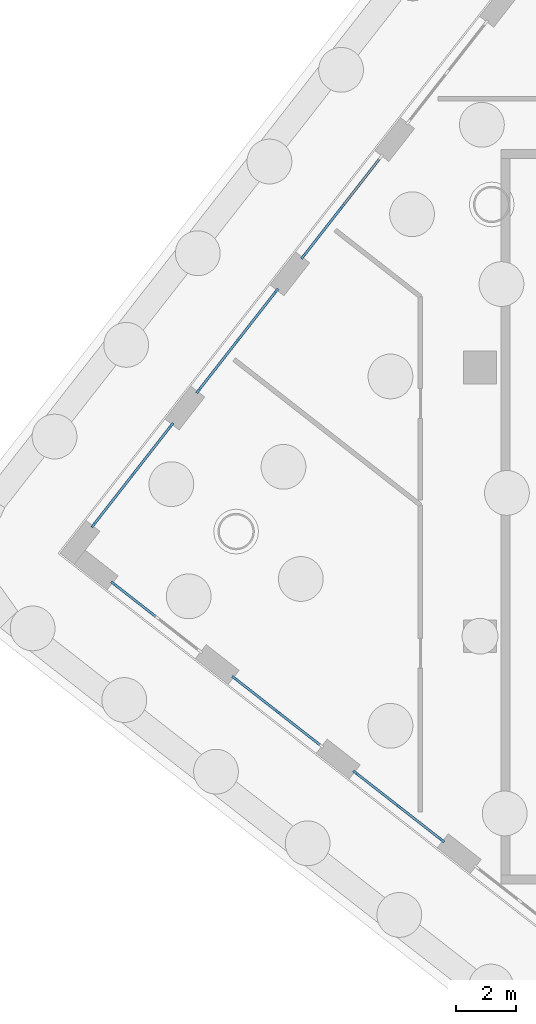
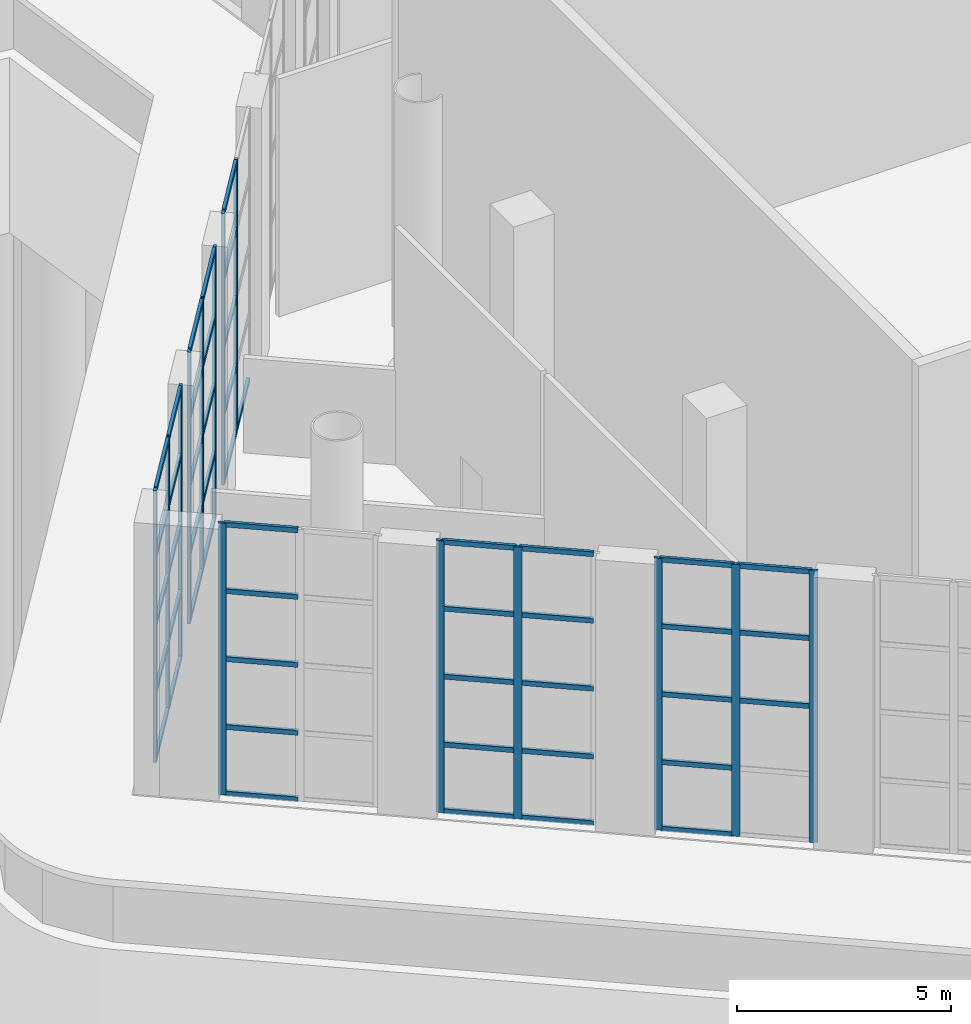
# One storey, part 5 of 34: 63 members, 6 elements without a shape of their own.
"""IFC4 building model written with IfcOpenShell, lengths in metres."""

from ifc_helpers import new_model, si_unit, direction, frame, origin, origin_2d, place, context, subcontext, project, spatial, rectangle, extrude, material, material_profile, profile_set, type_object, element, aggregate, save


model = new_model("IFC4")

# Units and contexts
model_context = context("Model", 3, precision=1e-05, world=origin(), true_north=direction((0.0, 1.0)))
body_context = subcontext(model_context, "Body", "Model", "MODEL_VIEW")
ifc_project = project(units=[si_unit("LENGTHUNIT", "METRE"), si_unit("AREAUNIT", "SQUARE_METRE"), si_unit("VOLUMEUNIT", "CUBIC_METRE"), si_unit("PLANEANGLEUNIT", "RADIAN"), si_unit("MASSUNIT", "GRAM", prefix="KILO")], contexts=[model_context])

# Site, building, storey
site_placement = place(None, origin())
site = spatial("IfcSite", under=ifc_project, at=site_placement, CompositionType="ELEMENT")
building_placement = place(site_placement, origin())
building = spatial("IfcBuilding", under=site, at=building_placement, Name="Tarsis Ring Headquarters", CompositionType="ELEMENT")
storey_placement = place(building_placement, origin())
storey = spatial("IfcBuildingStorey", under=building, at=storey_placement, Name="L00", CompositionType="ELEMENT", Elevation=0.0)

# Curtain wall, members
ifc_material_1 = material(Name="Aluminium and glass", Category="aluminium")
curtain_wall_type = type_object("IfcCurtainWallType", Name="PO-CW1", PredefinedType="NOTDEFINED", material=ifc_material_1)
curtain_wall_1_placement = place(storey_placement, origin())
curtain_wall_1 = element("IfcCurtainWall", 1, at=curtain_wall_1_placement, inside=storey, type_object=curtain_wall_type, Name="Shopfront curtain wall 6.3", PredefinedType="NOTDEFINED")
ifc_material_2 = material(Name="Aluminium", Category="aluminium")
ifc_material_profile_1 = material_profile(ifc_material_2, rectangle(XDim=0.080078125, YDim=0.199951171875, at=origin_2d()), Name="PO-CW1M")
ifc_profile_set_1 = profile_set([ifc_material_profile_1], Name="Aluminium")
member_type_1 = type_object("IfcMemberType", Name="PO-CW1M", PredefinedType="MULLION", material=ifc_profile_set_1)
member_1_placement = place(storey_placement, frame((-40.61669921875, -21.61328125, 0.0), z_axis=(0.0, 0.0, 1.0), x_axis=(0.788010730451, -0.615661504964, 0.0)))
member_1 = element("IfcMember", 2, at=member_1_placement, type_object=member_type_1, Name="CW-P1 mullion 2", PredefinedType="MULLION", context=body_context, shape_type="SweptSolid", body=[
    extrude(rectangle(XDim=0.080078125, YDim=0.199951171875, at=origin_2d()), origin(), (0.0, 0.0, 1.0), 7.75),
])
member_2_placement = place(storey_placement, frame((-41.917236328125, -23.27783203125, 0.0), z_axis=(0.0, 0.0, 1.0), x_axis=(0.788010730451, -0.615661504964, 0.0)))
member_2 = element("IfcMember", 3, at=member_2_placement, type_object=member_type_1, Name="CW-P1 mullion 3", PredefinedType="MULLION", context=body_context, shape_type="SweptSolid", body=[
    extrude(rectangle(XDim=0.080078125, YDim=0.199951171875, at=origin_2d()), origin(), (0.0, 0.0, 1.0), 7.75),
])

curtain_wall_2_placement = place(storey_placement, origin())
curtain_wall_2 = element("IfcCurtainWall", 4, at=curtain_wall_2_placement, inside=storey, type_object=curtain_wall_type, Name="Shopfront curtain wall 6.4", PredefinedType="NOTDEFINED")
member_3_placement = place(storey_placement, frame((-42.82861328125, -24.444091796875, 0.0), z_axis=(0.0, 0.0, 1.0), x_axis=(0.788010818498, -0.615661392269, 0.0)))
member_3 = element("IfcMember", 5, at=member_3_placement, type_object=member_type_1, Name="CW-P1 mullion 1", PredefinedType="MULLION", context=body_context, shape_type="SweptSolid", body=[
    extrude(rectangle(XDim=0.080078125, YDim=0.199951171875, at=origin_2d()), origin(), (0.0, 0.0, 1.0), 7.75),
])
member_4_placement = place(storey_placement, frame((-44.129150390625, -26.10888671875, 0.0), z_axis=(0.0, 0.0, 1.0), x_axis=(0.788010818498, -0.615661392269, 0.0)))
member_4 = element("IfcMember", 6, at=member_4_placement, type_object=member_type_1, Name="CW-P1 mullion 2", PredefinedType="MULLION", context=body_context, shape_type="SweptSolid", body=[
    extrude(rectangle(XDim=0.080078125, YDim=0.199951171875, at=origin_2d()), origin(), (0.0, 0.0, 1.0), 7.75),
])
member_5_placement = place(storey_placement, frame((-45.4296875, -27.7734375, 0.0), z_axis=(0.0, 0.0, 1.0), x_axis=(0.788010818498, -0.615661392269, 0.0)))
member_5 = element("IfcMember", 7, at=member_5_placement, type_object=member_type_1, Name="CW-P1 mullion 3", PredefinedType="MULLION", context=body_context, shape_type="SweptSolid", body=[
    extrude(rectangle(XDim=0.080078125, YDim=0.199951171875, at=origin_2d()), origin(), (0.0, 0.0, 1.0), 7.75),
])

curtain_wall_3_placement = place(storey_placement, origin())
curtain_wall_3 = element("IfcCurtainWall", 8, at=curtain_wall_3_placement, inside=storey, type_object=curtain_wall_type, Name="Shopfront curtain wall 6.5", PredefinedType="NOTDEFINED")
member_6_placement = place(storey_placement, frame((-46.3408203125, -28.939697265625, 0.0), z_axis=(0.0, 0.0, 1.0), x_axis=(0.788010730451, -0.615661504964, 0.0)))
member_6 = element("IfcMember", 9, at=member_6_placement, type_object=member_type_1, Name="CW-P1 mullion 1", PredefinedType="MULLION", context=body_context, shape_type="SweptSolid", body=[
    extrude(rectangle(XDim=0.080078125, YDim=0.199951171875, at=origin_2d()), origin(), (0.0, 0.0, 1.0), 7.75),
])
member_7_placement = place(storey_placement, frame((-47.641357421875, -30.604248046875, 0.0), z_axis=(0.0, 0.0, 1.0), x_axis=(0.788010730451, -0.615661504964, 0.0)))
member_7 = element("IfcMember", 10, at=member_7_placement, type_object=member_type_1, Name="CW-P1 mullion 2", PredefinedType="MULLION", context=body_context, shape_type="SweptSolid", body=[
    extrude(rectangle(XDim=0.080078125, YDim=0.199951171875, at=origin_2d()), origin(), (0.0, 0.0, 1.0), 7.75),
])
member_8_placement = place(storey_placement, frame((-48.94189453125, -32.26904296875, 0.0), z_axis=(0.0, 0.0, 1.0), x_axis=(0.788010730451, -0.615661504964, 0.0)))
member_8 = element("IfcMember", 11, at=member_8_placement, type_object=member_type_1, Name="CW-P1 mullion 3", PredefinedType="MULLION", context=body_context, shape_type="SweptSolid", body=[
    extrude(rectangle(XDim=0.080078125, YDim=0.199951171875, at=origin_2d()), origin(), (0.0, 0.0, 1.0), 7.75),
])

# Curtain wall, member
curtain_wall_4_placement = place(storey_placement, origin())
curtain_wall_4 = element("IfcCurtainWall", 12, at=curtain_wall_4_placement, inside=storey, type_object=curtain_wall_type, Name="Shopfront curtain wall 7.1", PredefinedType="NOTDEFINED")
member_9_placement = place(storey_placement, frame((-48.272705078125, -34.238525390625, 0.0), z_axis=(0.0, 0.0, 1.0), x_axis=(0.615661571393, 0.788010678551, 0.0)))
member_9 = element("IfcMember", 13, at=member_9_placement, type_object=member_type_1, Name="CW-P1 mullion 1", PredefinedType="MULLION", context=body_context, shape_type="SweptSolid", body=[
    extrude(rectangle(XDim=0.080078125, YDim=0.199951171875, at=origin_2d()), origin(), (0.0, 0.0, 1.0), 7.75),
])

# Curtain wall, members
curtain_wall_5_placement = place(storey_placement, origin())
curtain_wall_5 = element("IfcCurtainWall", 14, at=curtain_wall_5_placement, inside=storey, type_object=curtain_wall_type, Name="Shopfront curtain wall 7.2", PredefinedType="NOTDEFINED")
member_10_placement = place(storey_placement, frame((-44.219970703125, -37.40478515625, 0.0), z_axis=(0.0, 0.0, 1.0), x_axis=(0.615661441767, 0.788010779825, 0.0)))
member_10 = element("IfcMember", 15, at=member_10_placement, type_object=member_type_1, Name="CW-P1 mullion 1", PredefinedType="MULLION", context=body_context, shape_type="SweptSolid", body=[
    extrude(rectangle(XDim=0.080078125, YDim=0.199951171875, at=origin_2d()), origin(), (0.0, 0.0, 1.0), 7.75),
])
member_11_placement = place(storey_placement, frame((-42.77685546875, -38.532470703125, 0.0), z_axis=(0.0, 0.0, 1.0), x_axis=(0.615661441767, 0.788010779825, 0.0)))
member_11 = element("IfcMember", 16, at=member_11_placement, type_object=member_type_1, Name="CW-P1 mullion 2", PredefinedType="MULLION", context=body_context, shape_type="SweptSolid", body=[
    extrude(rectangle(XDim=0.080078125, YDim=0.199951171875, at=origin_2d()), origin(), (0.0, 0.0, 1.0), 7.75),
])

curtain_wall_6_placement = place(storey_placement, origin())
curtain_wall_6 = element("IfcCurtainWall", 17, at=curtain_wall_6_placement, inside=storey, type_object=curtain_wall_type, Name="Shopfront curtain wall 7.3", PredefinedType="NOTDEFINED")
member_12_placement = place(storey_placement, frame((-40.16748046875, -40.571044921875, 0.0), z_axis=(0.0, 0.0, 1.0), x_axis=(0.615661441767, 0.788010779825, 0.0)))
member_12 = element("IfcMember", 18, at=member_12_placement, type_object=member_type_1, Name="CW-P1 mullion 1", PredefinedType="MULLION", context=body_context, shape_type="SweptSolid", body=[
    extrude(rectangle(XDim=0.080078125, YDim=0.199951171875, at=origin_2d()), origin(), (0.0, 0.0, 1.0), 7.75),
])
member_13_placement = place(storey_placement, frame((-38.72412109375, -41.69873046875, 0.0), z_axis=(0.0, 0.0, 1.0), x_axis=(0.615661441767, 0.788010779825, 0.0)))
member_13 = element("IfcMember", 19, at=member_13_placement, type_object=member_type_1, Name="CW-P1 mullion 2", PredefinedType="MULLION", context=body_context, shape_type="SweptSolid", body=[
    extrude(rectangle(XDim=0.080078125, YDim=0.199951171875, at=origin_2d()), origin(), (0.0, 0.0, 1.0), 7.75),
])
member_14_placement = place(storey_placement, frame((-37.281005859375, -42.826171875, 0.0), z_axis=(0.0, 0.0, 1.0), x_axis=(0.615661441767, 0.788010779825, 0.0)))
member_14 = element("IfcMember", 20, at=member_14_placement, type_object=member_type_1, Name="CW-P1 mullion 3", PredefinedType="MULLION", context=body_context, shape_type="SweptSolid", body=[
    extrude(rectangle(XDim=0.080078125, YDim=0.199951171875, at=origin_2d()), origin(), (0.0, 0.0, 1.0), 7.75),
])

# Member
ifc_material_profile_2 = material_profile(ifc_material_2, rectangle(XDim=0.080078125, YDim=0.139892578125, at=origin_2d()), Name="PO-CW1T")
ifc_profile_set_2 = profile_set([ifc_material_profile_2], Name="Aluminium")
member_type_2 = type_object("IfcMemberType", Name="PO-CW1T", PredefinedType="USERDEFINED", material=ifc_profile_set_2)
member_15_placement = place(storey_placement, frame((-39.3408203125, -19.980224609375, 0.0400390625), z_axis=(-0.615644041972, -0.788024373725, 0.0), x_axis=(0.788024373725, -0.615644041972, 0.0)))
member_15 = element("IfcMember", 21, at=member_15_placement, type_object=member_type_2, Name="CW-P1 transom 1.1", ObjectType="TRANSOM", PredefinedType="USERDEFINED", context=body_context, shape_type="SweptSolid", body=[
    extrude(rectangle(XDim=0.080078125, YDim=0.139892578125, at=origin_2d()), origin(), (0.0, 0.0, 1.0), 2.032470703125),
])

member_16_placement = place(storey_placement, frame((-40.641357421875, -21.644775390625, 0.0400390625), z_axis=(-0.615718629624, -0.787966096437, 0.0), x_axis=(0.787966096437, -0.615718629624, 0.0)))
member_16 = element("IfcMember", 22, at=member_16_placement, type_object=member_type_2, Name="CW-P1 transom 2.1", ObjectType="TRANSOM", PredefinedType="USERDEFINED", context=body_context, shape_type="SweptSolid", body=[
    extrude(rectangle(XDim=0.080078125, YDim=0.139892578125, at=origin_2d()), origin(), (0.0, 0.0, 1.0), 2.032470703125),
])

member_17_placement = place(storey_placement, frame((-40.641357421875, -21.644775390625, 1.9375), z_axis=(-0.615718629624, -0.787966096437, 0.0), x_axis=(0.787966096437, -0.615718629624, 0.0)))
member_17 = element("IfcMember", 23, at=member_17_placement, type_object=member_type_2, Name="CW-P1 transom 2.2", ObjectType="TRANSOM", PredefinedType="USERDEFINED", context=body_context, shape_type="SweptSolid", body=[
    extrude(rectangle(XDim=0.080078125, YDim=0.139892578125, at=origin_2d()), origin(), (0.0, 0.0, 1.0), 2.032470703125),
])

member_18_placement = place(storey_placement, frame((-40.641357421875, -21.644775390625, 3.875), z_axis=(-0.615718629624, -0.787966096437, 0.0), x_axis=(0.787966096437, -0.615718629624, 0.0)))
member_18 = element("IfcMember", 24, at=member_18_placement, type_object=member_type_2, Name="CW-P1 transom 2.3", ObjectType="TRANSOM", PredefinedType="USERDEFINED", context=body_context, shape_type="SweptSolid", body=[
    extrude(rectangle(XDim=0.080078125, YDim=0.139892578125, at=origin_2d()), origin(), (0.0, 0.0, 1.0), 2.032470703125),
])

member_19_placement = place(storey_placement, frame((-40.641357421875, -21.644775390625, 5.8125), z_axis=(-0.615718629624, -0.787966096437, 0.0), x_axis=(0.787966096437, -0.615718629624, 0.0)))
member_19 = element("IfcMember", 25, at=member_19_placement, type_object=member_type_2, Name="CW-P1 transom 2.4", ObjectType="TRANSOM", PredefinedType="USERDEFINED", context=body_context, shape_type="SweptSolid", body=[
    extrude(rectangle(XDim=0.080078125, YDim=0.139892578125, at=origin_2d()), origin(), (0.0, 0.0, 1.0), 2.032470703125),
])

member_20_placement = place(storey_placement, frame((-40.641357421875, -21.644775390625, 7.7099609375), z_axis=(-0.615718629624, -0.787966096437, 0.0), x_axis=(0.787966096437, -0.615718629624, 0.0)))
member_20 = element("IfcMember", 26, at=member_20_placement, type_object=member_type_2, Name="CW-P1 transom 2.5", ObjectType="TRANSOM", PredefinedType="USERDEFINED", context=body_context, shape_type="SweptSolid", body=[
    extrude(rectangle(XDim=0.080078125, YDim=0.139892578125, at=origin_2d()), origin(), (0.0, 0.0, 1.0), 2.032470703125),
])

aggregate(curtain_wall_1, [member_1, member_2, member_15, member_16, member_17, member_18, member_19, member_20])

member_21_placement = place(storey_placement, frame((-42.85302734375, -24.4755859375, 0.0400390625), z_axis=(-0.615660356948, -0.788011627378, 0.0), x_axis=(0.788011627378, -0.615660356948, 0.0)))
member_21 = element("IfcMember", 27, at=member_21_placement, type_object=member_type_2, Name="CW-P1 transom 1.1", ObjectType="TRANSOM", PredefinedType="USERDEFINED", context=body_context, shape_type="SweptSolid", body=[
    extrude(rectangle(XDim=0.080078125, YDim=0.139892578125, at=origin_2d()), origin(), (0.0, 0.0, 1.0), 2.03271484375),
])

member_22_placement = place(storey_placement, frame((-42.85302734375, -24.4755859375, 1.9375), z_axis=(-0.615660356948, -0.788011627378, 0.0), x_axis=(0.788011627378, -0.615660356948, 0.0)))
member_22 = element("IfcMember", 28, at=member_22_placement, type_object=member_type_2, Name="CW-P1 transom 1.2", ObjectType="TRANSOM", PredefinedType="USERDEFINED", context=body_context, shape_type="SweptSolid", body=[
    extrude(rectangle(XDim=0.080078125, YDim=0.139892578125, at=origin_2d()), origin(), (0.0, 0.0, 1.0), 2.03271484375),
])

member_23_placement = place(storey_placement, frame((-42.85302734375, -24.4755859375, 3.875), z_axis=(-0.615660356948, -0.788011627378, 0.0), x_axis=(0.788011627378, -0.615660356948, 0.0)))
member_23 = element("IfcMember", 29, at=member_23_placement, type_object=member_type_2, Name="CW-P1 transom 1.3", ObjectType="TRANSOM", PredefinedType="USERDEFINED", context=body_context, shape_type="SweptSolid", body=[
    extrude(rectangle(XDim=0.080078125, YDim=0.139892578125, at=origin_2d()), origin(), (0.0, 0.0, 1.0), 2.03271484375),
])

member_24_placement = place(storey_placement, frame((-42.85302734375, -24.4755859375, 5.8125), z_axis=(-0.615660356948, -0.788011627378, 0.0), x_axis=(0.788011627378, -0.615660356948, 0.0)))
member_24 = element("IfcMember", 30, at=member_24_placement, type_object=member_type_2, Name="CW-P1 transom 1.4", ObjectType="TRANSOM", PredefinedType="USERDEFINED", context=body_context, shape_type="SweptSolid", body=[
    extrude(rectangle(XDim=0.080078125, YDim=0.139892578125, at=origin_2d()), origin(), (0.0, 0.0, 1.0), 2.03271484375),
])

member_25_placement = place(storey_placement, frame((-42.85302734375, -24.4755859375, 7.7099609375), z_axis=(-0.615660356948, -0.788011627378, 0.0), x_axis=(0.788011627378, -0.615660356948, 0.0)))
member_25 = element("IfcMember", 31, at=member_25_placement, type_object=member_type_2, Name="CW-P1 transom 1.5", ObjectType="TRANSOM", PredefinedType="USERDEFINED", context=body_context, shape_type="SweptSolid", body=[
    extrude(rectangle(XDim=0.080078125, YDim=0.139892578125, at=origin_2d()), origin(), (0.0, 0.0, 1.0), 2.03271484375),
])

member_26_placement = place(storey_placement, frame((-44.15380859375, -26.140380859375, 0.0400390625), z_axis=(-0.615644041972, -0.788024373725, 0.0), x_axis=(0.788024373725, -0.615644041972, 0.0)))
member_26 = element("IfcMember", 32, at=member_26_placement, type_object=member_type_2, Name="CW-P1 transom 2.1", ObjectType="TRANSOM", PredefinedType="USERDEFINED", context=body_context, shape_type="SweptSolid", body=[
    extrude(rectangle(XDim=0.080078125, YDim=0.139892578125, at=origin_2d()), origin(), (0.0, 0.0, 1.0), 2.032470703125),
])

member_27_placement = place(storey_placement, frame((-44.15380859375, -26.140380859375, 1.9375), z_axis=(-0.615644041972, -0.788024373725, 0.0), x_axis=(0.788024373725, -0.615644041972, 0.0)))
member_27 = element("IfcMember", 33, at=member_27_placement, type_object=member_type_2, Name="CW-P1 transom 2.2", ObjectType="TRANSOM", PredefinedType="USERDEFINED", context=body_context, shape_type="SweptSolid", body=[
    extrude(rectangle(XDim=0.080078125, YDim=0.139892578125, at=origin_2d()), origin(), (0.0, 0.0, 1.0), 2.032470703125),
])

member_28_placement = place(storey_placement, frame((-44.15380859375, -26.140380859375, 3.875), z_axis=(-0.615644041972, -0.788024373725, 0.0), x_axis=(0.788024373725, -0.615644041972, 0.0)))
member_28 = element("IfcMember", 34, at=member_28_placement, type_object=member_type_2, Name="CW-P1 transom 2.3", ObjectType="TRANSOM", PredefinedType="USERDEFINED", context=body_context, shape_type="SweptSolid", body=[
    extrude(rectangle(XDim=0.080078125, YDim=0.139892578125, at=origin_2d()), origin(), (0.0, 0.0, 1.0), 2.032470703125),
])

member_29_placement = place(storey_placement, frame((-44.15380859375, -26.140380859375, 5.8125), z_axis=(-0.615644041972, -0.788024373725, 0.0), x_axis=(0.788024373725, -0.615644041972, 0.0)))
member_29 = element("IfcMember", 35, at=member_29_placement, type_object=member_type_2, Name="CW-P1 transom 2.4", ObjectType="TRANSOM", PredefinedType="USERDEFINED", context=body_context, shape_type="SweptSolid", body=[
    extrude(rectangle(XDim=0.080078125, YDim=0.139892578125, at=origin_2d()), origin(), (0.0, 0.0, 1.0), 2.032470703125),
])

member_30_placement = place(storey_placement, frame((-44.15380859375, -26.140380859375, 7.7099609375), z_axis=(-0.615644041972, -0.788024373725, 0.0), x_axis=(0.788024373725, -0.615644041972, 0.0)))
member_30 = element("IfcMember", 36, at=member_30_placement, type_object=member_type_2, Name="CW-P1 transom 2.5", ObjectType="TRANSOM", PredefinedType="USERDEFINED", context=body_context, shape_type="SweptSolid", body=[
    extrude(rectangle(XDim=0.080078125, YDim=0.139892578125, at=origin_2d()), origin(), (0.0, 0.0, 1.0), 2.032470703125),
])

aggregate(curtain_wall_2, [member_3, member_4, member_5, member_21, member_22, member_23, member_24, member_25, member_26, member_27, member_28, member_29, member_30])

member_31_placement = place(storey_placement, frame((-46.365478515625, -28.97119140625, 0.0400390625), z_axis=(-0.615644041972, -0.788024373725, 0.0), x_axis=(0.788024373725, -0.615644041972, 0.0)))
member_31 = element("IfcMember", 37, at=member_31_placement, type_object=member_type_2, Name="CW-P1 transom 1.1", ObjectType="TRANSOM", PredefinedType="USERDEFINED", context=body_context, shape_type="SweptSolid", body=[
    extrude(rectangle(XDim=0.080078125, YDim=0.139892578125, at=origin_2d()), origin(), (0.0, 0.0, 1.0), 2.032470703125),
])

member_32_placement = place(storey_placement, frame((-46.365478515625, -28.97119140625, 1.9375), z_axis=(-0.615644041972, -0.788024373725, 0.0), x_axis=(0.788024373725, -0.615644041972, 0.0)))
member_32 = element("IfcMember", 38, at=member_32_placement, type_object=member_type_2, Name="CW-P1 transom 1.2", ObjectType="TRANSOM", PredefinedType="USERDEFINED", context=body_context, shape_type="SweptSolid", body=[
    extrude(rectangle(XDim=0.080078125, YDim=0.139892578125, at=origin_2d()), origin(), (0.0, 0.0, 1.0), 2.032470703125),
])

member_33_placement = place(storey_placement, frame((-46.365478515625, -28.97119140625, 3.875), z_axis=(-0.615644041972, -0.788024373725, 0.0), x_axis=(0.788024373725, -0.615644041972, 0.0)))
member_33 = element("IfcMember", 39, at=member_33_placement, type_object=member_type_2, Name="CW-P1 transom 1.3", ObjectType="TRANSOM", PredefinedType="USERDEFINED", context=body_context, shape_type="SweptSolid", body=[
    extrude(rectangle(XDim=0.080078125, YDim=0.139892578125, at=origin_2d()), origin(), (0.0, 0.0, 1.0), 2.032470703125),
])

member_34_placement = place(storey_placement, frame((-46.365478515625, -28.97119140625, 5.8125), z_axis=(-0.615644041972, -0.788024373725, 0.0), x_axis=(0.788024373725, -0.615644041972, 0.0)))
member_34 = element("IfcMember", 40, at=member_34_placement, type_object=member_type_2, Name="CW-P1 transom 1.4", ObjectType="TRANSOM", PredefinedType="USERDEFINED", context=body_context, shape_type="SweptSolid", body=[
    extrude(rectangle(XDim=0.080078125, YDim=0.139892578125, at=origin_2d()), origin(), (0.0, 0.0, 1.0), 2.032470703125),
])

member_35_placement = place(storey_placement, frame((-46.365478515625, -28.97119140625, 7.7099609375), z_axis=(-0.615644041972, -0.788024373725, 0.0), x_axis=(0.788024373725, -0.615644041972, 0.0)))
member_35 = element("IfcMember", 41, at=member_35_placement, type_object=member_type_2, Name="CW-P1 transom 1.5", ObjectType="TRANSOM", PredefinedType="USERDEFINED", context=body_context, shape_type="SweptSolid", body=[
    extrude(rectangle(XDim=0.080078125, YDim=0.139892578125, at=origin_2d()), origin(), (0.0, 0.0, 1.0), 2.032470703125),
])

member_36_placement = place(storey_placement, frame((-47.666015625, -30.635986328125, 0.0400390625), z_axis=(-0.615644041972, -0.788024373725, 0.0), x_axis=(0.788024373725, -0.615644041972, 0.0)))
member_36 = element("IfcMember", 42, at=member_36_placement, type_object=member_type_2, Name="CW-P1 transom 2.1", ObjectType="TRANSOM", PredefinedType="USERDEFINED", context=body_context, shape_type="SweptSolid", body=[
    extrude(rectangle(XDim=0.080078125, YDim=0.139892578125, at=origin_2d()), origin(), (0.0, 0.0, 1.0), 2.032470703125),
])

member_37_placement = place(storey_placement, frame((-47.666015625, -30.635986328125, 1.9375), z_axis=(-0.615644041972, -0.788024373725, 0.0), x_axis=(0.788024373725, -0.615644041972, 0.0)))
member_37 = element("IfcMember", 43, at=member_37_placement, type_object=member_type_2, Name="CW-P1 transom 2.2", ObjectType="TRANSOM", PredefinedType="USERDEFINED", context=body_context, shape_type="SweptSolid", body=[
    extrude(rectangle(XDim=0.080078125, YDim=0.139892578125, at=origin_2d()), origin(), (0.0, 0.0, 1.0), 2.032470703125),
])

member_38_placement = place(storey_placement, frame((-47.666015625, -30.635986328125, 3.875), z_axis=(-0.615644041972, -0.788024373725, 0.0), x_axis=(0.788024373725, -0.615644041972, 0.0)))
member_38 = element("IfcMember", 44, at=member_38_placement, type_object=member_type_2, Name="CW-P1 transom 2.3", ObjectType="TRANSOM", PredefinedType="USERDEFINED", context=body_context, shape_type="SweptSolid", body=[
    extrude(rectangle(XDim=0.080078125, YDim=0.139892578125, at=origin_2d()), origin(), (0.0, 0.0, 1.0), 2.032470703125),
])

member_39_placement = place(storey_placement, frame((-47.666015625, -30.635986328125, 5.8125), z_axis=(-0.615644041972, -0.788024373725, 0.0), x_axis=(0.788024373725, -0.615644041972, 0.0)))
member_39 = element("IfcMember", 45, at=member_39_placement, type_object=member_type_2, Name="CW-P1 transom 2.4", ObjectType="TRANSOM", PredefinedType="USERDEFINED", context=body_context, shape_type="SweptSolid", body=[
    extrude(rectangle(XDim=0.080078125, YDim=0.139892578125, at=origin_2d()), origin(), (0.0, 0.0, 1.0), 2.032470703125),
])

member_40_placement = place(storey_placement, frame((-47.666015625, -30.635986328125, 7.7099609375), z_axis=(-0.615644041972, -0.788024373725, 0.0), x_axis=(0.788024373725, -0.615644041972, 0.0)))
member_40 = element("IfcMember", 46, at=member_40_placement, type_object=member_type_2, Name="CW-P1 transom 2.5", ObjectType="TRANSOM", PredefinedType="USERDEFINED", context=body_context, shape_type="SweptSolid", body=[
    extrude(rectangle(XDim=0.080078125, YDim=0.139892578125, at=origin_2d()), origin(), (0.0, 0.0, 1.0), 2.032470703125),
])

aggregate(curtain_wall_3, [member_6, member_7, member_8, member_31, member_32, member_33, member_34, member_35, member_36, member_37, member_38, member_39, member_40])

member_41_placement = place(storey_placement, frame((-48.2412109375, -34.26318359375, 0.0400390625), z_axis=(0.78798421965, -0.615695435733, 0.0), x_axis=(0.615695435733, 0.78798421965, 0.0)))
member_41 = element("IfcMember", 47, at=member_41_placement, type_object=member_type_2, Name="CW-P1 transom 1.1", ObjectType="TRANSOM", PredefinedType="USERDEFINED", context=body_context, shape_type="SweptSolid", body=[
    extrude(rectangle(XDim=0.080078125, YDim=0.139892578125, at=origin_2d()), origin(), (0.0, 0.0, 1.0), 1.75146484375),
])

member_42_placement = place(storey_placement, frame((-48.2412109375, -34.26318359375, 1.9375), z_axis=(0.78798421965, -0.615695435733, 0.0), x_axis=(0.615695435733, 0.78798421965, 0.0)))
member_42 = element("IfcMember", 48, at=member_42_placement, type_object=member_type_2, Name="CW-P1 transom 1.2", ObjectType="TRANSOM", PredefinedType="USERDEFINED", context=body_context, shape_type="SweptSolid", body=[
    extrude(rectangle(XDim=0.080078125, YDim=0.139892578125, at=origin_2d()), origin(), (0.0, 0.0, 1.0), 1.75146484375),
])

member_43_placement = place(storey_placement, frame((-48.2412109375, -34.26318359375, 3.875), z_axis=(0.78798421965, -0.615695435733, 0.0), x_axis=(0.615695435733, 0.78798421965, 0.0)))
member_43 = element("IfcMember", 49, at=member_43_placement, type_object=member_type_2, Name="CW-P1 transom 1.3", ObjectType="TRANSOM", PredefinedType="USERDEFINED", context=body_context, shape_type="SweptSolid", body=[
    extrude(rectangle(XDim=0.080078125, YDim=0.139892578125, at=origin_2d()), origin(), (0.0, 0.0, 1.0), 1.75146484375),
])

member_44_placement = place(storey_placement, frame((-48.2412109375, -34.26318359375, 5.8125), z_axis=(0.78798421965, -0.615695435733, 0.0), x_axis=(0.615695435733, 0.78798421965, 0.0)))
member_44 = element("IfcMember", 50, at=member_44_placement, type_object=member_type_2, Name="CW-P1 transom 1.4", ObjectType="TRANSOM", PredefinedType="USERDEFINED", context=body_context, shape_type="SweptSolid", body=[
    extrude(rectangle(XDim=0.080078125, YDim=0.139892578125, at=origin_2d()), origin(), (0.0, 0.0, 1.0), 1.75146484375),
])

member_45_placement = place(storey_placement, frame((-48.2412109375, -34.26318359375, 7.7099609375), z_axis=(0.78798421965, -0.615695435733, 0.0), x_axis=(0.615695435733, 0.78798421965, 0.0)))
member_45 = element("IfcMember", 51, at=member_45_placement, type_object=member_type_2, Name="CW-P1 transom 1.5", ObjectType="TRANSOM", PredefinedType="USERDEFINED", context=body_context, shape_type="SweptSolid", body=[
    extrude(rectangle(XDim=0.080078125, YDim=0.139892578125, at=origin_2d()), origin(), (0.0, 0.0, 1.0), 1.75146484375),
])

aggregate(curtain_wall_4, [member_9, member_41, member_42, member_43, member_44, member_45])

member_46_placement = place(storey_placement, frame((-44.1884765625, -37.429443359375, 0.0400390625), z_axis=(0.78798421965, -0.615695435733, 0.0), x_axis=(0.615695435733, 0.78798421965, 0.0)))
member_46 = element("IfcMember", 52, at=member_46_placement, type_object=member_type_2, Name="CW-P1 transom 1.1", ObjectType="TRANSOM", PredefinedType="USERDEFINED", context=body_context, shape_type="SweptSolid", body=[
    extrude(rectangle(XDim=0.080078125, YDim=0.139892578125, at=origin_2d()), origin(), (0.0, 0.0, 1.0), 1.75146484375),
])

member_47_placement = place(storey_placement, frame((-44.1884765625, -37.429443359375, 1.9375), z_axis=(0.78798421965, -0.615695435733, 0.0), x_axis=(0.615695435733, 0.78798421965, 0.0)))
member_47 = element("IfcMember", 53, at=member_47_placement, type_object=member_type_2, Name="CW-P1 transom 1.2", ObjectType="TRANSOM", PredefinedType="USERDEFINED", context=body_context, shape_type="SweptSolid", body=[
    extrude(rectangle(XDim=0.080078125, YDim=0.139892578125, at=origin_2d()), origin(), (0.0, 0.0, 1.0), 1.75146484375),
])

member_48_placement = place(storey_placement, frame((-44.1884765625, -37.429443359375, 3.875), z_axis=(0.78798421965, -0.615695435733, 0.0), x_axis=(0.615695435733, 0.78798421965, 0.0)))
member_48 = element("IfcMember", 54, at=member_48_placement, type_object=member_type_2, Name="CW-P1 transom 1.3", ObjectType="TRANSOM", PredefinedType="USERDEFINED", context=body_context, shape_type="SweptSolid", body=[
    extrude(rectangle(XDim=0.080078125, YDim=0.139892578125, at=origin_2d()), origin(), (0.0, 0.0, 1.0), 1.75146484375),
])

member_49_placement = place(storey_placement, frame((-44.1884765625, -37.429443359375, 5.8125), z_axis=(0.78798421965, -0.615695435733, 0.0), x_axis=(0.615695435733, 0.78798421965, 0.0)))
member_49 = element("IfcMember", 55, at=member_49_placement, type_object=member_type_2, Name="CW-P1 transom 1.4", ObjectType="TRANSOM", PredefinedType="USERDEFINED", context=body_context, shape_type="SweptSolid", body=[
    extrude(rectangle(XDim=0.080078125, YDim=0.139892578125, at=origin_2d()), origin(), (0.0, 0.0, 1.0), 1.75146484375),
])

member_50_placement = place(storey_placement, frame((-44.1884765625, -37.429443359375, 7.7099609375), z_axis=(0.78798421965, -0.615695435733, 0.0), x_axis=(0.615695435733, 0.78798421965, 0.0)))
member_50 = element("IfcMember", 56, at=member_50_placement, type_object=member_type_2, Name="CW-P1 transom 1.5", ObjectType="TRANSOM", PredefinedType="USERDEFINED", context=body_context, shape_type="SweptSolid", body=[
    extrude(rectangle(XDim=0.080078125, YDim=0.139892578125, at=origin_2d()), origin(), (0.0, 0.0, 1.0), 1.75146484375),
])

member_51_placement = place(storey_placement, frame((-42.745361328125, -38.55712890625, 0.0400390625), z_axis=(0.788051847991, -0.615608873294, 0.0), x_axis=(0.615608873294, 0.788051847991, 0.0)))
member_51 = element("IfcMember", 57, at=member_51_placement, type_object=member_type_2, Name="CW-P1 transom 2.1", ObjectType="TRANSOM", PredefinedType="USERDEFINED", context=body_context, shape_type="SweptSolid", body=[
    extrude(rectangle(XDim=0.080078125, YDim=0.139892578125, at=origin_2d()), origin(), (0.0, 0.0, 1.0), 1.751220703125),
])

member_52_placement = place(storey_placement, frame((-42.745361328125, -38.55712890625, 1.9375), z_axis=(0.788051847991, -0.615608873294, 0.0), x_axis=(0.615608873294, 0.788051847991, 0.0)))
member_52 = element("IfcMember", 58, at=member_52_placement, type_object=member_type_2, Name="CW-P1 transom 2.2", ObjectType="TRANSOM", PredefinedType="USERDEFINED", context=body_context, shape_type="SweptSolid", body=[
    extrude(rectangle(XDim=0.080078125, YDim=0.139892578125, at=origin_2d()), origin(), (0.0, 0.0, 1.0), 1.751220703125),
])

member_53_placement = place(storey_placement, frame((-42.745361328125, -38.55712890625, 3.875), z_axis=(0.788051847991, -0.615608873294, 0.0), x_axis=(0.615608873294, 0.788051847991, 0.0)))
member_53 = element("IfcMember", 59, at=member_53_placement, type_object=member_type_2, Name="CW-P1 transom 2.3", ObjectType="TRANSOM", PredefinedType="USERDEFINED", context=body_context, shape_type="SweptSolid", body=[
    extrude(rectangle(XDim=0.080078125, YDim=0.139892578125, at=origin_2d()), origin(), (0.0, 0.0, 1.0), 1.751220703125),
])

member_54_placement = place(storey_placement, frame((-42.745361328125, -38.55712890625, 5.8125), z_axis=(0.788051847991, -0.615608873294, 0.0), x_axis=(0.615608873294, 0.788051847991, 0.0)))
member_54 = element("IfcMember", 60, at=member_54_placement, type_object=member_type_2, Name="CW-P1 transom 2.4", ObjectType="TRANSOM", PredefinedType="USERDEFINED", context=body_context, shape_type="SweptSolid", body=[
    extrude(rectangle(XDim=0.080078125, YDim=0.139892578125, at=origin_2d()), origin(), (0.0, 0.0, 1.0), 1.751220703125),
])

member_55_placement = place(storey_placement, frame((-42.745361328125, -38.55712890625, 7.7099609375), z_axis=(0.788051847991, -0.615608873294, 0.0), x_axis=(0.615608873294, 0.788051847991, 0.0)))
member_55 = element("IfcMember", 61, at=member_55_placement, type_object=member_type_2, Name="CW-P1 transom 2.5", ObjectType="TRANSOM", PredefinedType="USERDEFINED", context=body_context, shape_type="SweptSolid", body=[
    extrude(rectangle(XDim=0.080078125, YDim=0.139892578125, at=origin_2d()), origin(), (0.0, 0.0, 1.0), 1.751220703125),
])

aggregate(curtain_wall_5, [member_10, member_11, member_46, member_47, member_48, member_49, member_50, member_51, member_52, member_53, member_54, member_55])

member_56_placement = place(storey_placement, frame((-40.135986328125, -40.595703125, 0.0400390625), z_axis=(0.78798421965, -0.615695435733, 0.0), x_axis=(0.615695435733, 0.78798421965, 0.0)))
member_56 = element("IfcMember", 62, at=member_56_placement, type_object=member_type_2, Name="CW-P1 transom 1.1", ObjectType="TRANSOM", PredefinedType="USERDEFINED", context=body_context, shape_type="SweptSolid", body=[
    extrude(rectangle(XDim=0.080078125, YDim=0.139892578125, at=origin_2d()), origin(), (0.0, 0.0, 1.0), 1.75146484375),
])

member_57_placement = place(storey_placement, frame((-40.135986328125, -40.595703125, 1.9375), z_axis=(0.78798421965, -0.615695435733, 0.0), x_axis=(0.615695435733, 0.78798421965, 0.0)))
member_57 = element("IfcMember", 63, at=member_57_placement, type_object=member_type_2, Name="CW-P1 transom 1.2", ObjectType="TRANSOM", PredefinedType="USERDEFINED", context=body_context, shape_type="SweptSolid", body=[
    extrude(rectangle(XDim=0.080078125, YDim=0.139892578125, at=origin_2d()), origin(), (0.0, 0.0, 1.0), 1.75146484375),
])

member_58_placement = place(storey_placement, frame((-40.135986328125, -40.595703125, 3.875), z_axis=(0.78798421965, -0.615695435733, 0.0), x_axis=(0.615695435733, 0.78798421965, 0.0)))
member_58 = element("IfcMember", 64, at=member_58_placement, type_object=member_type_2, Name="CW-P1 transom 1.3", ObjectType="TRANSOM", PredefinedType="USERDEFINED", context=body_context, shape_type="SweptSolid", body=[
    extrude(rectangle(XDim=0.080078125, YDim=0.139892578125, at=origin_2d()), origin(), (0.0, 0.0, 1.0), 1.75146484375),
])

member_59_placement = place(storey_placement, frame((-40.135986328125, -40.595703125, 5.8125), z_axis=(0.78798421965, -0.615695435733, 0.0), x_axis=(0.615695435733, 0.78798421965, 0.0)))
member_59 = element("IfcMember", 65, at=member_59_placement, type_object=member_type_2, Name="CW-P1 transom 1.4", ObjectType="TRANSOM", PredefinedType="USERDEFINED", context=body_context, shape_type="SweptSolid", body=[
    extrude(rectangle(XDim=0.080078125, YDim=0.139892578125, at=origin_2d()), origin(), (0.0, 0.0, 1.0), 1.75146484375),
])

member_60_placement = place(storey_placement, frame((-40.135986328125, -40.595703125, 7.7099609375), z_axis=(0.78798421965, -0.615695435733, 0.0), x_axis=(0.615695435733, 0.78798421965, 0.0)))
member_60 = element("IfcMember", 66, at=member_60_placement, type_object=member_type_2, Name="CW-P1 transom 1.5", ObjectType="TRANSOM", PredefinedType="USERDEFINED", context=body_context, shape_type="SweptSolid", body=[
    extrude(rectangle(XDim=0.080078125, YDim=0.139892578125, at=origin_2d()), origin(), (0.0, 0.0, 1.0), 1.75146484375),
])

member_61_placement = place(storey_placement, frame((-38.692626953125, -41.723388671875, 3.875), z_axis=(0.788051847991, -0.615608873294, 0.0), x_axis=(0.615608873294, 0.788051847991, 0.0)))
member_61 = element("IfcMember", 67, at=member_61_placement, type_object=member_type_2, Name="CW-P1 transom 2.3", ObjectType="TRANSOM", PredefinedType="USERDEFINED", context=body_context, shape_type="SweptSolid", body=[
    extrude(rectangle(XDim=0.080078125, YDim=0.139892578125, at=origin_2d()), origin(), (0.0, 0.0, 1.0), 1.751220703125),
])

member_62_placement = place(storey_placement, frame((-38.692626953125, -41.723388671875, 5.8125), z_axis=(0.788051847991, -0.615608873294, 0.0), x_axis=(0.615608873294, 0.788051847991, 0.0)))
member_62 = element("IfcMember", 68, at=member_62_placement, type_object=member_type_2, Name="CW-P1 transom 2.4", ObjectType="TRANSOM", PredefinedType="USERDEFINED", context=body_context, shape_type="SweptSolid", body=[
    extrude(rectangle(XDim=0.080078125, YDim=0.139892578125, at=origin_2d()), origin(), (0.0, 0.0, 1.0), 1.751220703125),
])

member_63_placement = place(storey_placement, frame((-38.692626953125, -41.723388671875, 7.7099609375), z_axis=(0.788051847991, -0.615608873294, 0.0), x_axis=(0.615608873294, 0.788051847991, 0.0)))
member_63 = element("IfcMember", 69, at=member_63_placement, type_object=member_type_2, Name="CW-P1 transom 2.5", ObjectType="TRANSOM", PredefinedType="USERDEFINED", context=body_context, shape_type="SweptSolid", body=[
    extrude(rectangle(XDim=0.080078125, YDim=0.139892578125, at=origin_2d()), origin(), (0.0, 0.0, 1.0), 1.751220703125),
])

aggregate(curtain_wall_6, [member_12, member_13, member_14, member_56, member_57, member_58, member_59, member_60, member_61, member_62, member_63])

save(model, "model.ifc")
